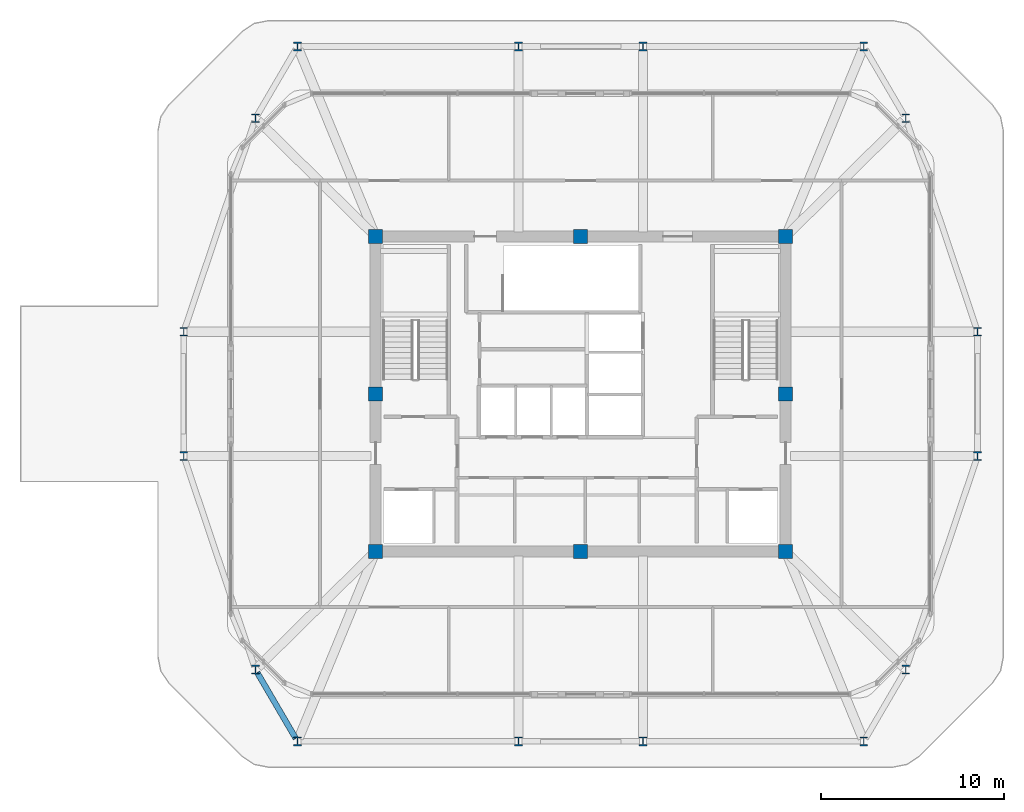
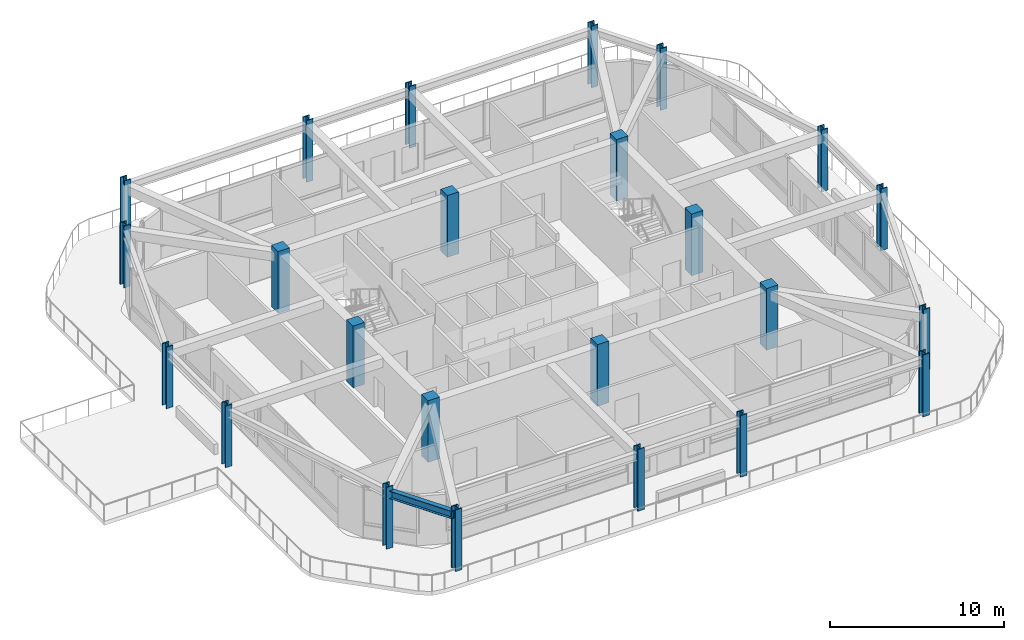
# One storey, part 1 of 10: 24 columns, 1 beam.
"""IFC4 building model written with IfcOpenShell, lengths in metres."""

from ifc_helpers import new_model, si_unit, derived_unit, direction, frame, origin, origin_2d, place, context, subcontext, project, spatial, rectangle, i_section, extrude, material, material_profile, profile_set, type_object, element, save


model = new_model("IFC4")

# Units and contexts
model_context = context("Model", 3, precision=1e-05, world=origin(), true_north=direction((0.0, 1.0)))
body_context = subcontext(model_context, "Body", "Model", "MODEL_VIEW")
ifc_project = project(units=[si_unit("LENGTHUNIT", "METRE"), si_unit("AREAUNIT", "SQUARE_METRE"), si_unit("VOLUMEUNIT", "CUBIC_METRE"), si_unit("PLANEANGLEUNIT", "RADIAN"), si_unit("MASSUNIT", "GRAM", prefix="KILO"), derived_unit("THERMALTRANSMITTANCEUNIT", [(si_unit("POWERUNIT", "WATT"), 1), (si_unit("LENGTHUNIT", "METRE"), -2), (si_unit("THERMODYNAMICTEMPERATUREUNIT", "KELVIN"), -1)])], contexts=[model_context])

# Site, building, storey
site_placement = place(None, origin())
site = spatial("IfcSite", under=ifc_project, at=site_placement, CompositionType="ELEMENT")
building_placement = place(site_placement, origin())
building = spatial("IfcBuilding", under=site, at=building_placement, Name="Koralith Skygarden Medical Center", CompositionType="ELEMENT")
storey_placement = place(building_placement, frame((0.0, 0.0, 294.659912109375)))
storey = spatial("IfcBuildingStorey", under=building, at=storey_placement, Name="L76", CompositionType="ELEMENT", Elevation=294.659912109375)

# Columns
ifc_material_1 = material(Name="Concrete C55/67", Category="concrete")
ifc_material_profile_1 = material_profile(ifc_material_1, rectangle(XDim=0.760009765625, YDim=0.760009765625, at=origin_2d()), Name="RC760X760")
ifc_profile_set_1 = profile_set([ifc_material_profile_1], Name="Concrete C55/67")
column_type_1 = type_object("IfcColumnType", Name="Core Crown Column C55 RC760", PredefinedType="COLUMN", material=ifc_profile_set_1)
for number, where, z_axis, x_axis, name in (
    (1, (25.800048828125, 17.300048828125, 0.0), (0.0, 0.0, 1.0), (1.0, 0.0, 0.0), "L76 Core Column CC-01"),
    (2, (37.0, 17.300048828125, 0.0), (0.0, 0.0, 1.0), (1.0, 0.0, 0.0), "L76 Core Column CC-02"),
    (3, (48.199951171875, 17.300048828125, 0.0), (0.0, 0.0, 1.0), (1.0, 0.0, 0.0), "L76 Core Column CC-03"),
    (4, (48.199951171875, 25.89990234375, 0.0), (0.0, 0.0, 1.0), (1.0, 0.0, 0.0), "L76 Core Column CC-04"),
    (5, (48.199951171875, 34.5, 0.0), (0.0, 0.0, 1.0), (1.0, 0.0, 0.0), "L76 Core Column CC-05"),
    (6, (37.0, 34.5, 0.0), (0.0, 0.0, 1.0), (1.0, 0.0, 0.0), "L76 Core Column CC-06"),
    (7, (25.800048828125, 34.5, 0.0), (0.0, 0.0, 1.0), (1.0, 0.0, 0.0), "L76 Core Column CC-07"),
    (8, (25.800048828125, 25.89990234375, 0.0), (0.0, 0.0, 1.0), (1.0, 0.0, 0.0), "L76 Core Column CC-08"),
):
    element("IfcColumn", number, at=place(storey_placement, frame(where, z_axis=z_axis, x_axis=x_axis)), inside=storey, type_object=column_type_1, Name=name, PredefinedType="COLUMN", context=body_context, shape_type="SweptSolid", body=[
        extrude(rectangle(XDim=0.760009765625, YDim=0.760009765625, at=origin_2d()), origin(), (0.0, 0.0, 1.0), 4.320068359375),
    ])
ifc_material_2 = material(Name="Steel ASTM A992 Grade 50", Category="steel")
ifc_material_profile_2 = material_profile(ifc_material_2, i_section(OverallWidth=0.427978515625, OverallDepth=0.48291015625, WebThickness=0.0419921875, FlangeThickness=0.068115234375, at=origin_2d()), Name="W14X455")
ifc_profile_set_2 = profile_set([ifc_material_profile_2], Name="Steel ASTM A992 Grade 50")
column_type_2 = type_object("IfcColumnType", Name="Crown Perimeter Column A992 W14X455", PredefinedType="COLUMN", material=ifc_profile_set_2)
for number, where, z_axis, x_axis, name in (
    (9, (15.320068359375, 22.5, 0.0), (0.0, 0.0, 1.0), (1.0, 0.0, 0.0), "L76 Perimeter Mega-Column MC-01"),
    (10, (19.239990234375, 10.840087890625, 0.0), (0.0, 0.0, 1.0), (1.0, 0.0, 0.0), "L76 Perimeter Mega-Column MC-02"),
    (11, (21.531982421875, 6.919921875, 0.0), (0.0, 0.0, 1.0), (1.0, 0.0, 0.0), "L76 Perimeter Mega-Column MC-03"),
    (12, (33.60009765625, 6.919921875, 0.0), (0.0, 0.0, 1.0), (1.0, 0.0, 0.0), "L76 Perimeter Mega-Column MC-04"),
    (13, (40.39990234375, 6.919921875, 0.0), (0.0, 0.0, 1.0), (1.0, 0.0, 0.0), "L76 Perimeter Mega-Column MC-05"),
    (14, (52.468017578125, 6.919921875, 0.0), (0.0, 0.0, 1.0), (1.0, 0.0, 0.0), "L76 Perimeter Mega-Column MC-06"),
    (15, (54.760009765625, 10.840087890625, 0.0), (0.0, 0.0, 1.0), (1.0, 0.0, 0.0), "L76 Perimeter Mega-Column MC-07"),
    (16, (58.679931640625, 22.5, 0.0), (0.0, 0.0, 1.0), (1.0, 0.0, 0.0), "L76 Perimeter Mega-Column MC-08"),
    (17, (58.679931640625, 29.300048828125, 0.0), (0.0, 0.0, 1.0), (1.0, 0.0, 0.0), "L76 Perimeter Mega-Column MC-09"),
    (18, (54.760009765625, 40.9599609375, 0.0), (0.0, 0.0, 1.0), (1.0, 0.0, 0.0), "L76 Perimeter Mega-Column MC-10"),
    (19, (52.468017578125, 44.8798828125, 0.0), (0.0, 0.0, 1.0), (1.0, 0.0, 0.0), "L76 Perimeter Mega-Column MC-11"),
    (20, (40.39990234375, 44.8798828125, 0.0), (0.0, 0.0, 1.0), (1.0, 0.0, 0.0), "L76 Perimeter Mega-Column MC-12"),
    (21, (33.60009765625, 44.8798828125, 0.0), (0.0, 0.0, 1.0), (1.0, 0.0, 0.0), "L76 Perimeter Mega-Column MC-13"),
    (22, (21.531982421875, 44.8798828125, 0.0), (0.0, 0.0, 1.0), (1.0, 0.0, 0.0), "L76 Perimeter Mega-Column MC-14"),
    (23, (19.239990234375, 40.9599609375, 0.0), (0.0, 0.0, 1.0), (1.0, 0.0, 0.0), "L76 Perimeter Mega-Column MC-15"),
    (24, (15.320068359375, 29.300048828125, 0.0), (0.0, 0.0, 1.0), (1.0, 0.0, 0.0), "L76 Perimeter Mega-Column MC-16"),
):
    element("IfcColumn", number, at=place(storey_placement, frame(where, z_axis=z_axis, x_axis=x_axis)), inside=storey, type_object=column_type_2, Name=name, PredefinedType="COLUMN", context=body_context, shape_type="SweptSolid", body=[
        extrude(i_section(OverallWidth=0.427978515625, OverallDepth=0.48291015625, WebThickness=0.0419921875, FlangeThickness=0.068115234375, at=origin_2d()), origin(), (0.0, 0.0, 1.0), 4.320068359375),
    ])

# Beam
ifc_material_profile_3 = material_profile(ifc_material_2, i_section(OverallWidth=0.31201171875, OverallDepth=0.54296875, WebThickness=0.0126953125, FlangeThickness=0.020263671875, at=origin_2d()), Name="W21X101")
ifc_profile_set_3 = profile_set([ifc_material_profile_3], Name="Steel ASTM A992 Grade 50")
beam_type = type_object("IfcBeamType", Name="Canopy Ring Beam W21X101", PredefinedType="SPANDREL", material=ifc_profile_set_3)
beam_placement = place(storey_placement, frame((19.3330078125, 10.679931640625, 3.7490234375), z_axis=(0.504951618525, -0.863147648406, 0.0), x_axis=(0.863147648406, 0.504951618525, 0.0)))
element("IfcBeam", 25, at=beam_placement, inside=storey, type_object=beam_type, Name="L76 Perimeter Spandrel Beam SP-02", PredefinedType="SPANDREL", context=body_context, shape_type="SweptSolid", body=[
    extrude(i_section(OverallWidth=0.31201171875, OverallDepth=0.54296875, WebThickness=0.0126953125, FlangeThickness=0.020263671875, at=origin_2d()), origin(), (0.0, 0.0, 1.0), 4.170654296875),
])

save(model, "model.ifc")
